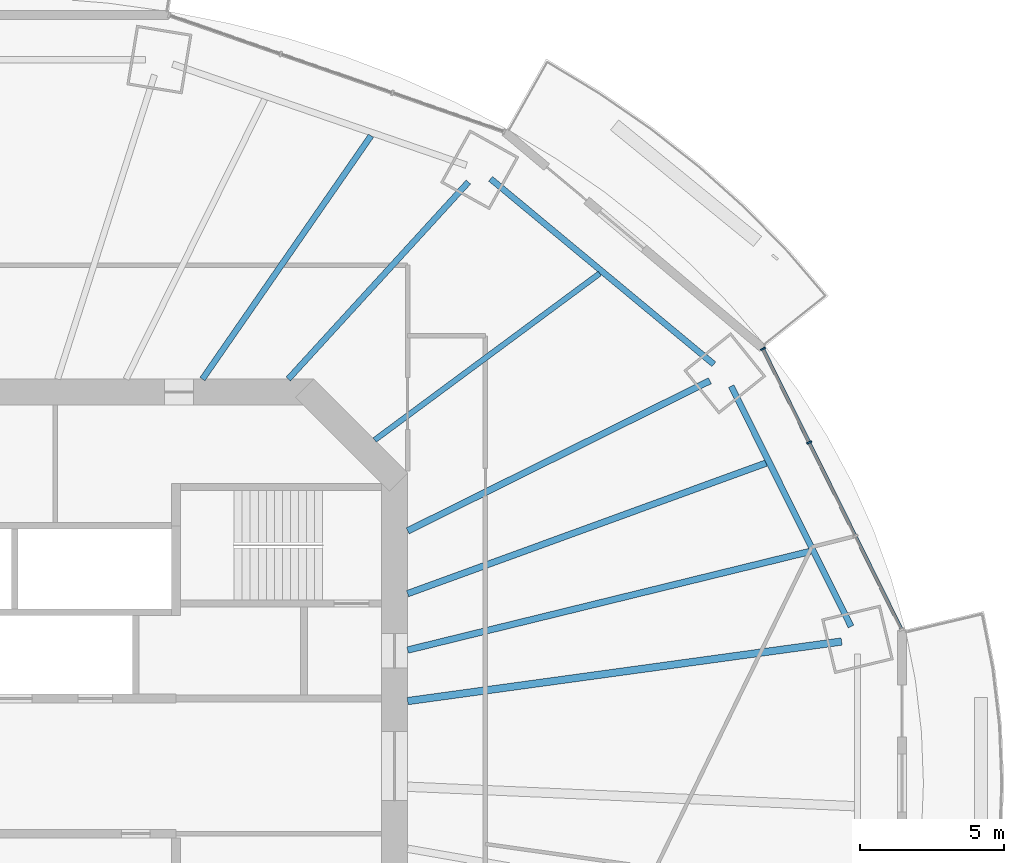
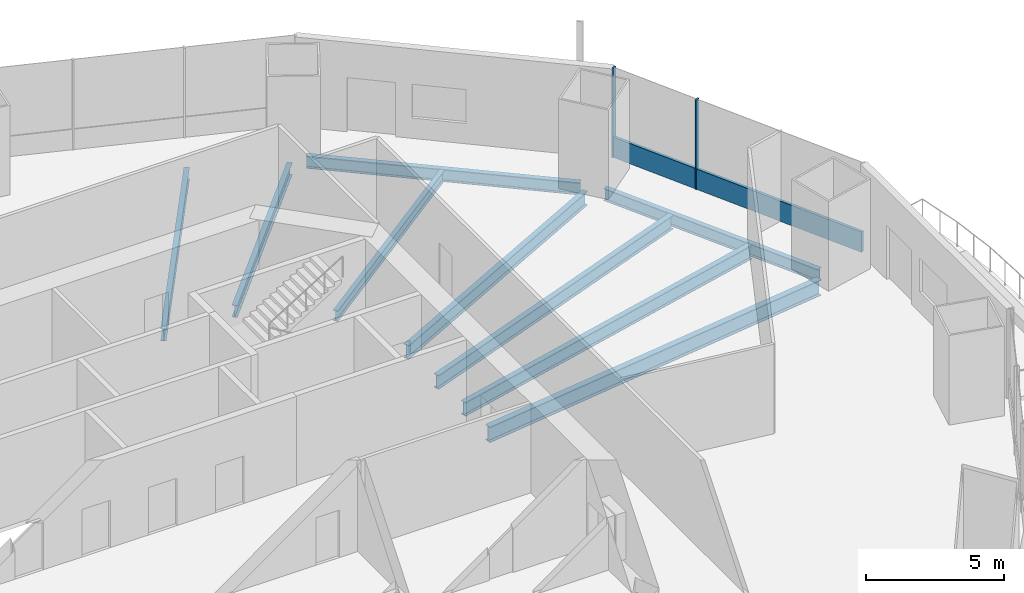
# One storey, part 7 of 20: 9 beams, 3 members, 1 element without a shape of its own.
"""IFC4 building model written with IfcOpenShell, lengths in metres."""

from ifc_helpers import new_model, si_unit, direction, frame, origin, origin_2d, place, context, subcontext, project, spatial, rectangle, i_section, extrude, material, material_profile, profile_set, type_object, element, aggregate, save


model = new_model("IFC4")

# Units and contexts
model_context = context("Model", 3, precision=1e-05, world=origin(), true_north=direction((0.0, 1.0)))
body_context = subcontext(model_context, "Body", "Model", "MODEL_VIEW")
ifc_project = project(units=[si_unit("LENGTHUNIT", "METRE"), si_unit("AREAUNIT", "SQUARE_METRE"), si_unit("VOLUMEUNIT", "CUBIC_METRE"), si_unit("PLANEANGLEUNIT", "RADIAN"), si_unit("MASSUNIT", "GRAM", prefix="KILO")], contexts=[model_context])

# Site, building, storey
site_placement = place(None, origin())
site = spatial("IfcSite", under=ifc_project, at=site_placement, CompositionType="ELEMENT")
building_placement = place(site_placement, origin())
building = spatial("IfcBuilding", under=site, at=building_placement, Name="Marenthal Gate Tower", CompositionType="ELEMENT")
storey_placement = place(building_placement, frame((0.0, 0.0, 181.800048828125)))
storey = spatial("IfcBuildingStorey", under=building, at=storey_placement, Name="L39", CompositionType="ELEMENT", Elevation=181.800048828125)

# Curtain wall, members
ifc_material_1 = material(Name="Aluminium and glass", Category="aluminium")
curtain_wall_type = type_object("IfcCurtainWallType", Name="Curtain wall typical mid", PredefinedType="NOTDEFINED", material=ifc_material_1)
curtain_wall_placement = place(storey_placement, origin())
curtain_wall = element("IfcCurtainWall", 1, at=curtain_wall_placement, inside=storey, type_object=curtain_wall_type, Name="Curtain wall L39 bay 1", PredefinedType="NOTDEFINED")
ifc_material_2 = material(Name="Aluminium", Category="aluminium")
ifc_material_profile_1 = material_profile(ifc_material_2, rectangle(XDim=0.179931640625, YDim=0.06005859375, at=origin_2d()), Name="60x180 aluminium mullion")
ifc_profile_set_1 = profile_set([ifc_material_profile_1], Name="Aluminium")
member_type_1 = type_object("IfcMemberType", Name="Mullion 60x180 typical mid", PredefinedType="MULLION", material=ifc_profile_set_1)
member_1_placement = place(storey_placement, frame((30.406982421875, 11.24560546875, 0.0), z_axis=(0.0, 0.0, 1.0), x_axis=(-0.89664343149, -0.442753381428, 0.0)))
member_1 = element("IfcMember", 2, at=member_1_placement, type_object=member_type_1, Name="Mullion L39 bay 1.3", PredefinedType="MULLION", context=body_context, shape_type="SweptSolid", body=[
    extrude(rectangle(XDim=0.179931640625, YDim=0.06005859375, at=origin_2d()), origin(), (0.0, 0.0, 1.0), 3.969970703125),
])
member_2_placement = place(storey_placement, frame((28.80029296875, 14.4990234375, 0.0), z_axis=(0.0, 0.0, 1.0), x_axis=(-0.89664343149, -0.442753381428, 0.0)))
member_2 = element("IfcMember", 3, at=member_2_placement, type_object=member_type_1, Name="Mullion L39 bay 1.4", PredefinedType="MULLION", context=body_context, shape_type="SweptSolid", body=[
    extrude(rectangle(XDim=0.179931640625, YDim=0.06005859375, at=origin_2d()), origin(), (0.0, 0.0, 1.0), 3.969970703125),
])
ifc_material_3 = material(Name="Aluminium", Category="aluminium")
ifc_material_profile_2 = material_profile(ifc_material_3, rectangle(XDim=0.1201171875, YDim=0.89990234375, at=origin_2d()), Name="120x900 aluminium transom")
ifc_profile_set_2 = profile_set([ifc_material_profile_2], Name="Aluminium")
member_type_2 = type_object("IfcMemberType", Name="Transom 120x900 typical mid", PredefinedType="USERDEFINED", material=ifc_profile_set_2)
member_3_placement = place(storey_placement, frame((33.606689453125, 4.765380859375, 0.449951171875), z_axis=(-0.442760838876, 0.896639749039, 0.0), x_axis=(-0.896639749039, -0.442760838876, 0.0)))
member_3 = element("IfcMember", 4, at=member_3_placement, type_object=member_type_2, Name="Transom L39 bay 1", ObjectType="TRANSOM", PredefinedType="USERDEFINED", context=body_context, shape_type="SweptSolid", body=[
    extrude(rectangle(XDim=0.1201171875, YDim=0.89990234375, at=origin_2d()), origin(), (0.0, 0.0, 1.0), 10.82568359375),
])
aggregate(curtain_wall, [member_1, member_2, member_3])

# Beams
ifc_material_4 = material(Name="Steel S355", Category="steel")
ifc_material_profile_3 = material_profile(ifc_material_4, i_section(OverallWidth=0.193115234375, OverallDepth=0.467041015625, WebThickness=0.011474609375, FlangeThickness=0.01904296875, FilletRadius=0.010009765625, at=origin_2d()), Name="W460X97")
ifc_profile_set_3 = profile_set([ifc_material_profile_3], Name="Steel S355")
beam_type_1 = type_object("IfcBeamType", Name="W460X97 beam", PredefinedType="BEAM", material=ifc_profile_set_3)
beam_1_placement = place(storey_placement, frame((23.126220703125, 17.12109375, -0.41357421875), z_axis=(-0.803711835648, -0.595018726797, 0.0), x_axis=(0.595018726797, -0.803711835648, 0.0)))
element("IfcBeam", 5, at=beam_1_placement, inside=storey, type_object=beam_type_1, Name="BM-L39-19", PredefinedType="BEAM", context=body_context, shape_type="SweptSolid", body=[
    extrude(i_section(OverallWidth=0.193115234375, OverallDepth=0.467041015625, WebThickness=0.011474609375, FlangeThickness=0.01904296875, FilletRadius=0.010009765625, at=origin_2d()), origin(), (0.0, 0.0, 1.0), 9.73095703125),
])
ifc_material_5 = material(Name="Steel S355", Category="steel")
ifc_material_profile_4 = material_profile(ifc_material_5, i_section(OverallWidth=0.2099609375, OverallDepth=0.535888671875, WebThickness=0.010986328125, FlangeThickness=0.017333984375, FilletRadius=0.0126953125, at=origin_2d()), Name="W530X101")
ifc_profile_set_4 = profile_set([ifc_material_profile_4], Name="Steel S355")
beam_type_2 = type_object("IfcBeamType", Name="W530X101 beam", PredefinedType="BEAM", material=ifc_profile_set_4)
beam_2_placement = place(storey_placement, frame((18.563232421875, 20.29638671875, -0.447998046875), z_axis=(-0.67489367982, -0.737914982189, 0.0), x_axis=(0.737914982189, -0.67489367982, 0.0)))
element("IfcBeam", 6, at=beam_2_placement, inside=storey, type_object=beam_type_2, Name="BM-L39-03", PredefinedType="BEAM", context=body_context, shape_type="SweptSolid", body=[
    extrude(i_section(OverallWidth=0.2099609375, OverallDepth=0.535888671875, WebThickness=0.010986328125, FlangeThickness=0.017333984375, FilletRadius=0.0126953125, at=origin_2d()), origin(), (0.0, 0.0, 1.0), 9.278076171875),
])
beam_3_placement = place(storey_placement, frame((15.176513671875, 21.902587890625, -0.447998046875), z_axis=(-0.569545723552, -0.821959651555, 0.0), x_axis=(0.821959651555, -0.569545723552, 0.0)))
element("IfcBeam", 7, at=beam_3_placement, inside=storey, type_object=beam_type_2, Name="BM-L39-20", PredefinedType="BEAM", context=body_context, shape_type="SweptSolid", body=[
    extrude(i_section(OverallWidth=0.2099609375, OverallDepth=0.535888671875, WebThickness=0.010986328125, FlangeThickness=0.017333984375, FilletRadius=0.0126953125, at=origin_2d()), origin(), (0.0, 0.0, 1.0), 10.283447265625),
])
ifc_material_6 = material(Name="Steel S355", Category="steel")
ifc_material_profile_5 = material_profile(ifc_material_6, i_section(OverallWidth=0.2119140625, OverallDepth=0.5439453125, WebThickness=0.01318359375, FlangeThickness=0.021240234375, FilletRadius=0.0126953125, at=origin_2d()), Name="W530X123")
ifc_profile_set_5 = profile_set([ifc_material_profile_5], Name="Steel S355")
beam_type_3 = type_object("IfcBeamType", Name="W530X123 beam", PredefinedType="BEAM", material=ifc_profile_set_5)
beam_4_placement = place(storey_placement, frame((31.860107421875, 4.851318359375, -0.4521484375), z_axis=(-0.446271515311, 0.894897611251, 0.0), x_axis=(-0.894897611251, -0.446271515311, 0.0)))
element("IfcBeam", 8, at=beam_4_placement, inside=storey, type_object=beam_type_3, Name="BM-L39-41", PredefinedType="BEAM", context=body_context, shape_type="SweptSolid", body=[
    extrude(i_section(OverallWidth=0.2119140625, OverallDepth=0.5439453125, WebThickness=0.01318359375, FlangeThickness=0.021240234375, FilletRadius=0.0126953125, at=origin_2d()), origin(), (0.0, 0.0, 1.0), 9.331787109375),
])
beam_5_placement = place(storey_placement, frame((27.092529296875, 13.96435546875, -0.4521484375), z_axis=(-0.769253878799, 0.638943244704, 0.0), x_axis=(-0.638943244704, -0.769253878799, 0.0)))
element("IfcBeam", 9, at=beam_5_placement, inside=storey, type_object=beam_type_3, Name="BM-L39-42", PredefinedType="BEAM", context=body_context, shape_type="SweptSolid", body=[
    extrude(i_section(OverallWidth=0.2119140625, OverallDepth=0.5439453125, WebThickness=0.01318359375, FlangeThickness=0.021240234375, FilletRadius=0.0126953125, at=origin_2d()), origin(), (0.0, 0.0, 1.0), 10.087158203125),
])
ifc_material_7 = material(Name="Steel S355", Category="steel")
ifc_material_profile_6 = material_profile(ifc_material_7, i_section(OverallWidth=0.22900390625, OverallDepth=0.612060546875, WebThickness=0.011962890625, FlangeThickness=0.01953125, FilletRadius=0.0126953125, at=origin_2d()), Name="W610X125")
ifc_profile_set_6 = profile_set([ifc_material_profile_6], Name="Steel S355")
beam_type_4 = type_object("IfcBeamType", Name="W610X125 beam", PredefinedType="BEAM", material=ifc_profile_set_6)
beam_6_placement = place(storey_placement, frame((26.958251953125, 13.392333984375, -0.486083984375), z_axis=(-0.895581075505, -0.44489834479, 0.0), x_axis=(0.44489834479, -0.895581075505, 0.0)))
element("IfcBeam", 10, at=beam_6_placement, inside=storey, type_object=beam_type_4, Name="BM-L39-02", PredefinedType="BEAM", context=body_context, shape_type="SweptSolid", body=[
    extrude(i_section(OverallWidth=0.22900390625, OverallDepth=0.612060546875, WebThickness=0.011962890625, FlangeThickness=0.01953125, FilletRadius=0.0126953125, at=origin_2d()), origin(), (0.0, 0.0, 1.0), 11.7333984375),
])
beam_7_placement = place(storey_placement, frame((30.44140625, 7.458984375, -0.486083984375), z_axis=(-0.971269335827, -0.237982934856, 0.0), x_axis=(0.237982934856, -0.971269335827, 0.0)))
element("IfcBeam", 11, at=beam_7_placement, inside=storey, type_object=beam_type_4, Name="BM-L39-17", PredefinedType="BEAM", context=body_context, shape_type="SweptSolid", body=[
    extrude(i_section(OverallWidth=0.22900390625, OverallDepth=0.612060546875, WebThickness=0.011962890625, FlangeThickness=0.01953125, FilletRadius=0.0126953125, at=origin_2d()), origin(), (0.0, 0.0, 1.0), 14.4052734375),
])
beam_8_placement = place(storey_placement, frame((28.909912109375, 10.530029296875, -0.486083984375), z_axis=(-0.93961321665, -0.342238225651, 0.0), x_axis=(0.342238225651, -0.93961321665, 0.0)))
element("IfcBeam", 12, at=beam_8_placement, inside=storey, type_object=beam_type_4, Name="BM-L39-18", PredefinedType="BEAM", context=body_context, shape_type="SweptSolid", body=[
    extrude(i_section(OverallWidth=0.22900390625, OverallDepth=0.612060546875, WebThickness=0.011962890625, FlangeThickness=0.01953125, FilletRadius=0.0126953125, at=origin_2d()), origin(), (0.0, 0.0, 1.0), 13.2607421875),
])
ifc_material_8 = material(Name="Steel S355", Category="steel")
ifc_material_profile_7 = material_profile(ifc_material_8, i_section(OverallWidth=0.257080078125, OverallDepth=0.693115234375, WebThickness=0.014404296875, FlangeThickness=0.023681640625, FilletRadius=0.015380859375, at=origin_2d()), Name="W690X170")
ifc_profile_set_7 = profile_set([ifc_material_profile_7], Name="Steel S355")
beam_type_5 = type_object("IfcBeamType", Name="W690X170 beam", PredefinedType="BEAM", material=ifc_profile_set_7)
beam_9_placement = place(storey_placement, frame((31.53369140625, 4.327880859375, -0.526611328125), z_axis=(-0.99071378207, -0.135963973232, 0.0), x_axis=(0.135963973232, -0.99071378207, 0.0)))
element("IfcBeam", 13, at=beam_9_placement, inside=storey, type_object=beam_type_5, Name="BM-L39-01", PredefinedType="BEAM", context=body_context, shape_type="SweptSolid", body=[
    extrude(i_section(OverallWidth=0.257080078125, OverallDepth=0.693115234375, WebThickness=0.014404296875, FlangeThickness=0.023681640625, FilletRadius=0.015380859375, at=origin_2d()), origin(), (0.0, 0.0, 1.0), 15.22509765625),
])

save(model, "model.ifc")
